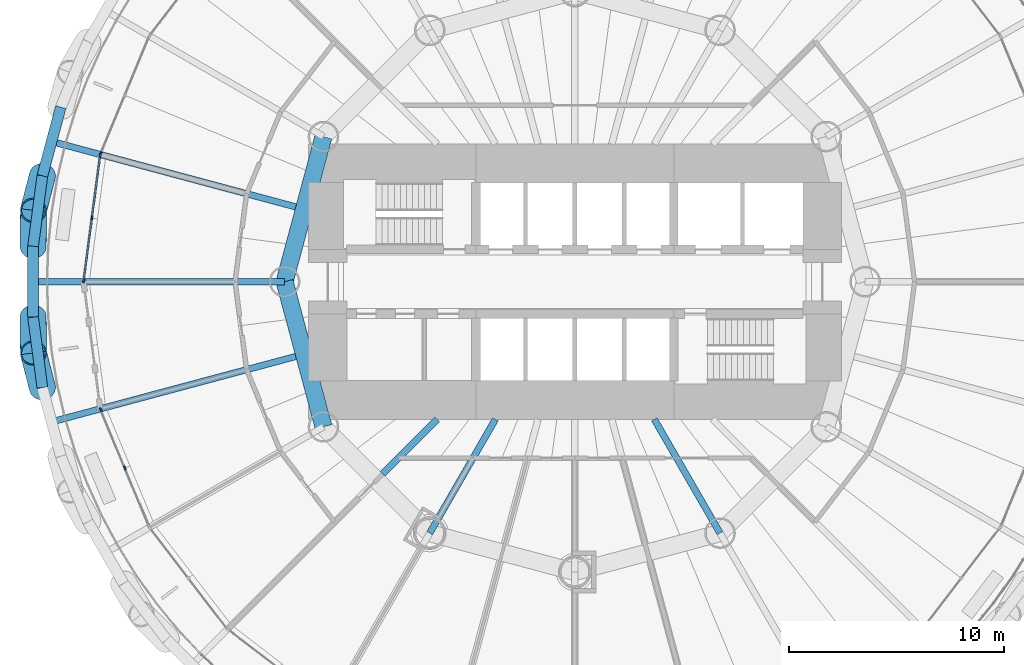
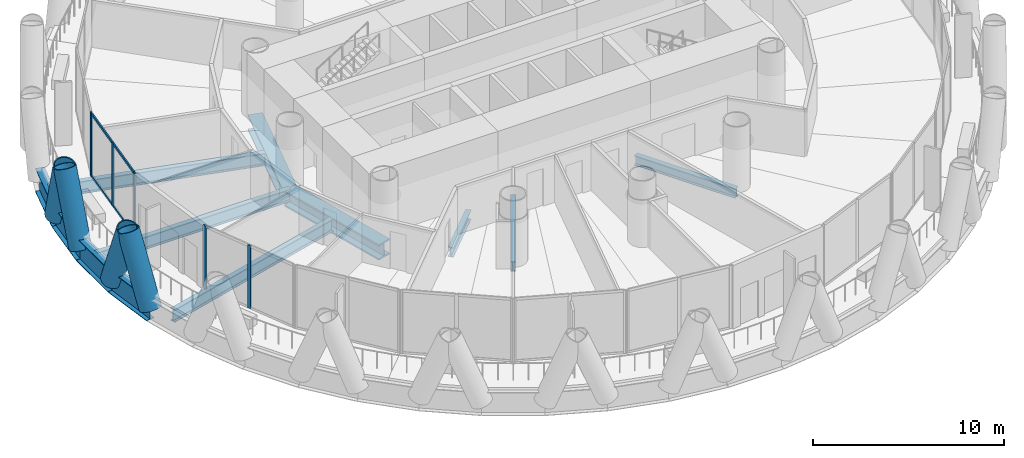
# One storey, part 3 of 16: 14 members, 12 beams, 3 elements without a shape of their own.
"""IFC4 building model written with IfcOpenShell, lengths in metres."""

from ifc_helpers import new_model, si_unit, direction, frame, origin, origin_2d, place, context, subcontext, project, spatial, rectangle, hollow_circle, i_section, extrude, material, material_profile, profile_set, type_object, element, aggregate, save


model = new_model("IFC4")

# Units and contexts
model_context = context("Model", 3, precision=1e-05, world=origin(), true_north=direction((0.0, 1.0)))
body_context = subcontext(model_context, "Body", "Model", "MODEL_VIEW")
ifc_project = project(units=[si_unit("LENGTHUNIT", "METRE"), si_unit("AREAUNIT", "SQUARE_METRE"), si_unit("VOLUMEUNIT", "CUBIC_METRE"), si_unit("PLANEANGLEUNIT", "RADIAN"), si_unit("MASSUNIT", "GRAM", prefix="KILO")], contexts=[model_context])

# Site, building, storey
site_placement = place(None, origin())
site = spatial("IfcSite", under=ifc_project, at=site_placement, CompositionType="ELEMENT")
building_placement = place(site_placement, origin())
building = spatial("IfcBuilding", under=site, at=building_placement, Name="Qaws Media Tower", CompositionType="ELEMENT")
storey_placement = place(building_placement, frame((0.0, 0.0, 63.800048828125)))
storey = spatial("IfcBuildingStorey", under=building, at=storey_placement, Name="L13", CompositionType="ELEMENT", Elevation=63.800048828125)

# Curtain wall, member
ifc_material_1 = material(Name="Aluminium and clear glass", Category="aluminium")
curtain_wall_type = type_object("IfcCurtainWallType", Name="Unitised curtain wall CW-A", PredefinedType="NOTDEFINED", material=ifc_material_1)
curtain_wall_1_placement = place(storey_placement, origin())
curtain_wall_1 = element("IfcCurtainWall", 1, at=curtain_wall_1_placement, inside=storey, type_object=curtain_wall_type, Name="CWA curtain wall L13-11", PredefinedType="NOTDEFINED")
ifc_material_2 = material(Name="Aluminium mullion", Category="aluminium")
ifc_material_profile_1 = material_profile(ifc_material_2, rectangle(XDim=0.080078125, YDim=0.199951171875, at=origin_2d()), Name="80x200")
ifc_profile_set_1 = profile_set([ifc_material_profile_1], Name="Aluminium mullion")
member_type_1 = type_object("IfcMemberType", Name="Curtain wall mullion 80x200", PredefinedType="MULLION", material=ifc_profile_set_1)
member_1_placement = place(storey_placement, frame((37.94384765625, 55.950927734375, 0.0), z_axis=(0.0, 0.0, 1.0), x_axis=(0.923879516448, -0.382683471145, 0.0)))
member_1 = element("IfcMember", 2, at=member_1_placement, type_object=member_type_1, Name="CWA mullion 3", PredefinedType="MULLION", context=body_context, shape_type="SweptSolid", body=[
    extrude(rectangle(XDim=0.080078125, YDim=0.199951171875, at=origin_2d()), origin(), (0.0, 0.0, 1.0), 4.0400390625),
])
aggregate(curtain_wall_1, [member_1])

# Curtain wall, members
curtain_wall_2_placement = place(storey_placement, origin())
curtain_wall_2 = element("IfcCurtainWall", 3, at=curtain_wall_2_placement, inside=storey, type_object=curtain_wall_type, Name="CWA curtain wall L13-12", PredefinedType="NOTDEFINED")
member_2_placement = place(storey_placement, frame((37.92333984375, 55.874267578125, 0.0), z_axis=(0.0, 0.0, 1.0), x_axis=(0.991444858023, -0.130526217674, 0.0)))
member_2 = element("IfcMember", 4, at=member_2_placement, type_object=member_type_1, Name="CWA mullion 1", PredefinedType="MULLION", context=body_context, shape_type="SweptSolid", body=[
    extrude(rectangle(XDim=0.080078125, YDim=0.199951171875, at=origin_2d()), origin(), (0.0, 0.0, 1.0), 4.0400390625),
])
member_3_placement = place(storey_placement, frame((37.539306640625, 52.95703125, 0.0), z_axis=(0.0, 0.0, 1.0), x_axis=(0.991444858023, -0.130526217674, 0.0)))
member_3 = element("IfcMember", 5, at=member_3_placement, type_object=member_type_1, Name="CWA mullion 2", PredefinedType="MULLION", context=body_context, shape_type="SweptSolid", body=[
    extrude(rectangle(XDim=0.080078125, YDim=0.199951171875, at=origin_2d()), origin(), (0.0, 0.0, 1.0), 4.0400390625),
])
member_4_placement = place(storey_placement, frame((37.1552734375, 50.03955078125, 0.0), z_axis=(0.0, 0.0, 1.0), x_axis=(0.991444858023, -0.130526217674, 0.0)))
member_4 = element("IfcMember", 6, at=member_4_placement, type_object=member_type_1, Name="CWA mullion 3", PredefinedType="MULLION", context=body_context, shape_type="SweptSolid", body=[
    extrude(rectangle(XDim=0.080078125, YDim=0.199951171875, at=origin_2d()), origin(), (0.0, 0.0, 1.0), 4.0400390625),
])

curtain_wall_3_placement = place(storey_placement, origin())
curtain_wall_3 = element("IfcCurtainWall", 7, at=curtain_wall_3_placement, inside=storey, type_object=curtain_wall_type, Name="CWA curtain wall L13-14", PredefinedType="NOTDEFINED")
member_5_placement = place(storey_placement, frame((37.94384765625, 44.049072265625, 0.0), z_axis=(0.0, 0.0, 1.0), x_axis=(0.923879516448, 0.382683471145, 0.0)))
member_5 = element("IfcMember", 8, at=member_5_placement, type_object=member_type_1, Name="CWA mullion 1", PredefinedType="MULLION", context=body_context, shape_type="SweptSolid", body=[
    extrude(rectangle(XDim=0.080078125, YDim=0.199951171875, at=origin_2d()), origin(), (0.0, 0.0, 1.0), 4.0400390625),
])
member_6_placement = place(storey_placement, frame((39.070068359375, 41.33056640625, 0.0), z_axis=(0.0, 0.0, 1.0), x_axis=(0.923879516448, 0.382683471145, 0.0)))
member_6 = element("IfcMember", 9, at=member_6_placement, type_object=member_type_1, Name="CWA mullion 2", PredefinedType="MULLION", context=body_context, shape_type="SweptSolid", body=[
    extrude(rectangle(XDim=0.080078125, YDim=0.199951171875, at=origin_2d()), origin(), (0.0, 0.0, 1.0), 4.0400390625),
])
aggregate(curtain_wall_3, [member_5, member_6])

# Member
ifc_material_3 = material(Name="Aluminium transom", Category="aluminium")
ifc_material_profile_2 = material_profile(ifc_material_3, rectangle(XDim=0.080078125, YDim=0.159912109375, at=origin_2d()), Name="80x160")
ifc_profile_set_2 = profile_set([ifc_material_profile_2], Name="Aluminium transom")
member_type_2 = type_object("IfcMemberType", Name="Curtain wall transom 80x160", PredefinedType="USERDEFINED", material=ifc_profile_set_2)
member_7_placement = place(storey_placement, frame((37.918212890625, 55.834716796875, 0.0400390625), z_axis=(-0.130571437549, -0.991438903663, 0.0), x_axis=(0.991438903663, -0.130571437549, 0.0)))
member_7 = element("IfcMember", 10, at=member_7_placement, type_object=member_type_2, Name="CWA transom 1.1", ObjectType="TRANSOM", PredefinedType="USERDEFINED", context=body_context, shape_type="SweptSolid", body=[
    extrude(rectangle(XDim=0.080078125, YDim=0.159912109375, at=origin_2d()), origin(), (0.0, 0.0, 1.0), 2.862548828125),
])

member_8_placement = place(storey_placement, frame((37.918212890625, 55.834716796875, 4.0), z_axis=(-0.130571437549, -0.991438903663, 0.0), x_axis=(0.991438903663, -0.130571437549, 0.0)))
member_8 = element("IfcMember", 11, at=member_8_placement, type_object=member_type_2, Name="CWA transom 1.2", ObjectType="TRANSOM", PredefinedType="USERDEFINED", context=body_context, shape_type="SweptSolid", body=[
    extrude(rectangle(XDim=0.080078125, YDim=0.159912109375, at=origin_2d()), origin(), (0.0, 0.0, 1.0), 2.862548828125),
])

member_9_placement = place(storey_placement, frame((37.5341796875, 52.917236328125, 0.0400390625), z_axis=(-0.130582478934, -0.991437449462, 0.0), x_axis=(0.991437449462, -0.130582478934, 0.0)))
member_9 = element("IfcMember", 12, at=member_9_placement, type_object=member_type_2, Name="CWA transom 2.1", ObjectType="TRANSOM", PredefinedType="USERDEFINED", context=body_context, shape_type="SweptSolid", body=[
    extrude(rectangle(XDim=0.080078125, YDim=0.159912109375, at=origin_2d()), origin(), (0.0, 0.0, 1.0), 2.8623046875),
])

member_10_placement = place(storey_placement, frame((37.5341796875, 52.917236328125, 4.0), z_axis=(-0.130582478934, -0.991437449462, 0.0), x_axis=(0.991437449462, -0.130582478934, 0.0)))
member_10 = element("IfcMember", 13, at=member_10_placement, type_object=member_type_2, Name="CWA transom 2.2", ObjectType="TRANSOM", PredefinedType="USERDEFINED", context=body_context, shape_type="SweptSolid", body=[
    extrude(rectangle(XDim=0.080078125, YDim=0.159912109375, at=origin_2d()), origin(), (0.0, 0.0, 1.0), 2.8623046875),
])

aggregate(curtain_wall_2, [member_2, member_3, member_4, member_7, member_8, member_9, member_10])

# Members
ifc_material_4 = material(Name="Steel S460", Category="steel")
ifc_material_profile_3 = material_profile(ifc_material_4, hollow_circle(Radius=0.609619140625, WallThickness=0.06005859375, at=origin_2d()), Name="CHS 1219x60")
ifc_profile_set_3 = profile_set([ifc_material_profile_3], Name="Steel S460")
member_type_3 = type_object("IfcMemberType", Name="Diagrid member CHS 1219x60", PredefinedType="USERDEFINED", material=ifc_profile_set_3)
for number, where, z_axis, x_axis, name in (
    (14, (35.235107421875, 54.926025390625, -0.91015625), (-0.09246277664, -0.356503177963, 0.929707544897), (0.967973130471, -0.251053816316, 0.0), "DG1 diagrid L13 A12"),
    (15, (34.803955078125, 48.3486328125, -0.91015625), (0.002972154616, -0.368331015728, 0.929689963993), (0.999967445201, 0.008068986134, 0.0), "DG1 diagrid L13 A13"),
    (16, (34.803955078125, 51.6513671875, -0.91015625), (0.002972154616, 0.368331015728, 0.929689963993), (-0.999967445201, 0.008068986134, 0.0), "DG1 diagrid L13 B13"),
    (17, (35.235107421875, 45.073974609375, -0.91015625), (-0.09246277664, 0.356503177963, 0.929707544897), (-0.967973130471, -0.251053816316, 0.0), "DG1 diagrid L13 B14"),
):
    element("IfcMember", number, at=place(storey_placement, frame(where, z_axis=z_axis, x_axis=x_axis)), inside=storey, type_object=member_type_3, Name=name, ObjectType="DIAGRID", PredefinedType="USERDEFINED", context=body_context, shape_type="SweptSolid", body=[
        extrude(hollow_circle(Radius=0.609619140625, WallThickness=0.06005859375, at=origin_2d()), origin(), (0.0, 0.0, 1.0), 4.517822265625),
    ])

# Beams
ifc_material_5 = material(Name="Steel S460", Category="steel")
ifc_material_profile_4 = material_profile(ifc_material_5, i_section(OverallWidth=0.5, OverallDepth=1.5, WebThickness=0.02001953125, FlangeThickness=0.0400390625, at=origin_2d()), Name="PG 1500x500")
ifc_profile_set_4 = profile_set([ifc_material_profile_4], Name="Steel S460")
beam_type_1 = type_object("IfcBeamType", Name="Edge ring beam PG 1500x500", PredefinedType="BEAM", material=ifc_profile_set_4)
for number, where, z_axis, x_axis, name in (
    (18, (36.090087890625, 58.116455078125, -0.91015625), (-0.258849385643, -0.965917696055, 0.0), (0.965917696055, -0.258849385643, 0.0), "RB4 edge ring beam L13-22"),
    (19, (35.235107421875, 54.926025390625, -0.91015625), (-0.130536731142, -0.991443473841, 0.0), (0.991443473841, -0.130536731142, 0.0), "RB4 edge ring beam L13-23"),
):
    element("IfcBeam", number, at=place(storey_placement, frame(where, z_axis=z_axis, x_axis=x_axis)), inside=storey, type_object=beam_type_1, Name=name, PredefinedType="BEAM", context=body_context, shape_type="SweptSolid", body=[
        extrude(i_section(OverallWidth=0.5, OverallDepth=1.5, WebThickness=0.02001953125, FlangeThickness=0.0400390625, at=origin_2d()), origin(), (0.0, 0.0, 1.0), 3.302978515625),
    ])
beam_1_placement = place(storey_placement, frame((34.803955078125, 51.6513671875, -0.91015625), z_axis=(0.0, -1.0, 0.0), x_axis=(1.0, 0.0, 0.0)))
element("IfcBeam", 20, at=beam_1_placement, inside=storey, type_object=beam_type_1, Name="RB4 edge ring beam L13-24", PredefinedType="BEAM", context=body_context, shape_type="SweptSolid", body=[
    extrude(i_section(OverallWidth=0.5, OverallDepth=1.5, WebThickness=0.02001953125, FlangeThickness=0.0400390625, at=origin_2d()), origin(), (0.0, 0.0, 1.0), 3.302734375),
])
beam_2_placement = place(storey_placement, frame((34.803955078125, 48.3486328125, -0.91015625), z_axis=(0.130536731142, -0.991443473841, 0.0), x_axis=(0.991443473841, 0.130536731142, 0.0)))
element("IfcBeam", 21, at=beam_2_placement, inside=storey, type_object=beam_type_1, Name="RB4 edge ring beam L13-25", PredefinedType="BEAM", context=body_context, shape_type="SweptSolid", body=[
    extrude(i_section(OverallWidth=0.5, OverallDepth=1.5, WebThickness=0.02001953125, FlangeThickness=0.0400390625, at=origin_2d()), origin(), (0.0, 0.0, 1.0), 3.302978515625),
])
ifc_material_6 = material(Name="Steel S460", Category="steel")
ifc_material_profile_5 = material_profile(ifc_material_6, i_section(OverallWidth=0.800048828125, OverallDepth=1.0, WebThickness=0.0400390625, FlangeThickness=0.10009765625, at=origin_2d()), Name="PG 1000x800")
ifc_profile_set_5 = profile_set([ifc_material_profile_5], Name="Steel S460")
beam_type_2 = type_object("IfcBeamType", Name="Inner ring girder PG 1000x800", PredefinedType="BEAM", material=ifc_profile_set_5)
for number, where, z_axis, x_axis, name in (
    (22, (48.30859375, 56.75, -0.66015625), (-0.258810593767, -0.965928090778, 0.0), (0.965928090778, -0.258810593767, 0.0), "B3 inner ring beam L13 I06-I07"),
    (23, (46.5, 50.0, -0.66015625), (0.258810593767, -0.965928090778, 0.0), (0.965928090778, 0.258810593767, 0.0), "B3 inner ring beam L13 I07-I08"),
):
    element("IfcBeam", number, at=place(storey_placement, frame(where, z_axis=z_axis, x_axis=x_axis)), inside=storey, type_object=beam_type_2, Name=name, PredefinedType="BEAM", context=body_context, shape_type="SweptSolid", body=[
        extrude(i_section(OverallWidth=0.800048828125, OverallDepth=1.0, WebThickness=0.0400390625, FlangeThickness=0.10009765625, at=origin_2d()), origin(), (0.0, 0.0, 1.0), 6.988037109375),
    ])
ifc_material_7 = material(Name="Steel S355", Category="steel")
ifc_material_profile_6 = material_profile(ifc_material_7, i_section(OverallWidth=0.304931640625, OverallDepth=0.6201171875, WebThickness=0.02099609375, FlangeThickness=0.0400390625, FilletRadius=0.027099609375, at=origin_2d()), Name="HE 600 M")
ifc_profile_set_6 = profile_set([ifc_material_profile_6], Name="Steel S355")
beam_type_3 = type_object("IfcBeamType", Name="Radial beam HE 600 M, core side", PredefinedType="BEAM", material=ifc_profile_set_6)
beam_3_placement = place(storey_placement, frame((53.60009765625, 43.60009765625, -0.469970703125), z_axis=(-0.707106781187, -0.707106781187, 0.0), x_axis=(0.707106781187, -0.707106781187, 0.0)))
element("IfcBeam", 24, at=beam_3_placement, inside=storey, type_object=beam_type_3, Name="B2 radial beam L13 16", PredefinedType="BEAM", context=body_context, shape_type="SweptSolid", body=[
    extrude(i_section(OverallWidth=0.304931640625, OverallDepth=0.6201171875, WebThickness=0.02099609375, FlangeThickness=0.0400390625, FilletRadius=0.027099609375, at=origin_2d()), origin(), (0.0, 0.0, 1.0), 3.589111328125),
])
for number, where, z_axis, x_axis, name in (
    (25, (56.304931640625, 43.60009765625, -0.469970703125), (-0.49998532359, -0.866033877048, 0.0), (0.866033877048, -0.49998532359, 0.0), "B2 radial beam L13 17"),
    (26, (63.695068359375, 43.60009765625, -0.469970703125), (0.49998532359, -0.866033877048, 0.0), (0.866033877048, 0.49998532359, 0.0), "B2 radial beam L13 21"),
):
    element("IfcBeam", number, at=place(storey_placement, frame(where, z_axis=z_axis, x_axis=x_axis)), inside=storey, type_object=beam_type_3, Name=name, PredefinedType="BEAM", context=body_context, shape_type="SweptSolid", body=[
        extrude(i_section(OverallWidth=0.304931640625, OverallDepth=0.6201171875, WebThickness=0.02099609375, FlangeThickness=0.0400390625, FilletRadius=0.027099609375, at=origin_2d()), origin(), (0.0, 0.0, 1.0), 6.110107421875),
    ])
ifc_material_8 = material(Name="Steel S355", Category="steel")
ifc_material_profile_7 = material_profile(ifc_material_8, i_section(OverallWidth=0.300048828125, OverallDepth=0.800048828125, WebThickness=0.017578125, FlangeThickness=0.032958984375, FilletRadius=0.030029296875, at=origin_2d()), Name="HE 800 B")
ifc_profile_set_7 = profile_set([ifc_material_profile_7], Name="Steel S355")
beam_type_4 = type_object("IfcBeamType", Name="Radial beam HE 800 B", PredefinedType="BEAM", material=ifc_profile_set_7)
beam_4_placement = place(storey_placement, frame((47.01806640625, 53.478515625, -0.56005859375), z_axis=(-0.96592506225, 0.258821896518, 0.0), x_axis=(-0.258821896518, -0.96592506225, 0.0)))
element("IfcBeam", 27, at=beam_4_placement, inside=storey, type_object=beam_type_4, Name="B1 radial beam L13 12", PredefinedType="BEAM", context=body_context, shape_type="SweptSolid", body=[
    extrude(i_section(OverallWidth=0.300048828125, OverallDepth=0.800048828125, WebThickness=0.017578125, FlangeThickness=0.032958984375, FilletRadius=0.030029296875, at=origin_2d()), origin(), (0.0, 0.0, 1.0), 11.756103515625),
])
beam_5_placement = place(storey_placement, frame((46.5, 50.0, -0.56005859375), z_axis=(-1.0, 0.0, 0.0), x_axis=(0.0, -1.0, 0.0)))
element("IfcBeam", 28, at=beam_5_placement, inside=storey, type_object=beam_type_4, Name="B1 radial beam L13 13", PredefinedType="BEAM", context=body_context, shape_type="SweptSolid", body=[
    extrude(i_section(OverallWidth=0.300048828125, OverallDepth=0.800048828125, WebThickness=0.017578125, FlangeThickness=0.032958984375, FilletRadius=0.030029296875, at=origin_2d()), origin(), (0.0, 0.0, 1.0), 11.696044921875),
])
beam_6_placement = place(storey_placement, frame((47.01806640625, 46.521484375, -0.56005859375), z_axis=(-0.96592506225, -0.258821896518, 0.0), x_axis=(0.258821896518, -0.96592506225, 0.0)))
element("IfcBeam", 29, at=beam_6_placement, inside=storey, type_object=beam_type_4, Name="B1 radial beam L13 14", PredefinedType="BEAM", context=body_context, shape_type="SweptSolid", body=[
    extrude(i_section(OverallWidth=0.300048828125, OverallDepth=0.800048828125, WebThickness=0.017578125, FlangeThickness=0.032958984375, FilletRadius=0.030029296875, at=origin_2d()), origin(), (0.0, 0.0, 1.0), 11.756103515625),
])

save(model, "model.ifc")
